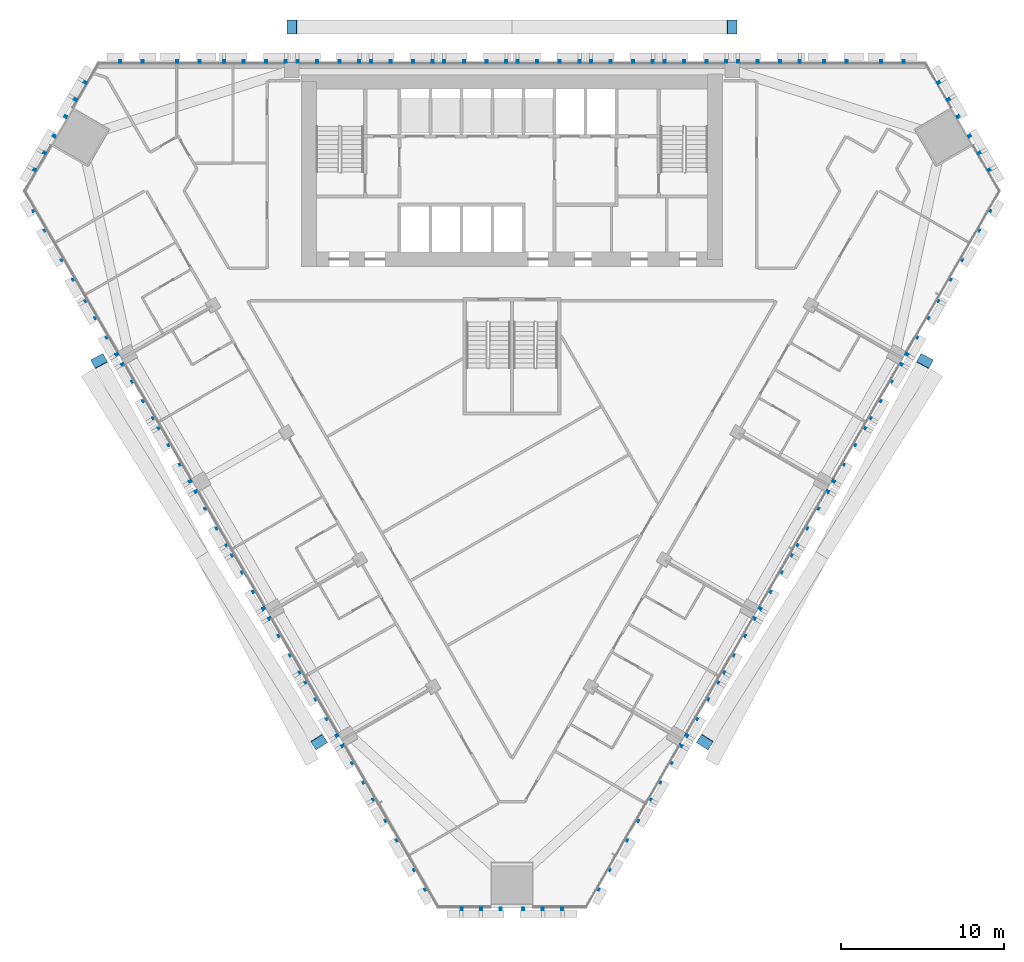
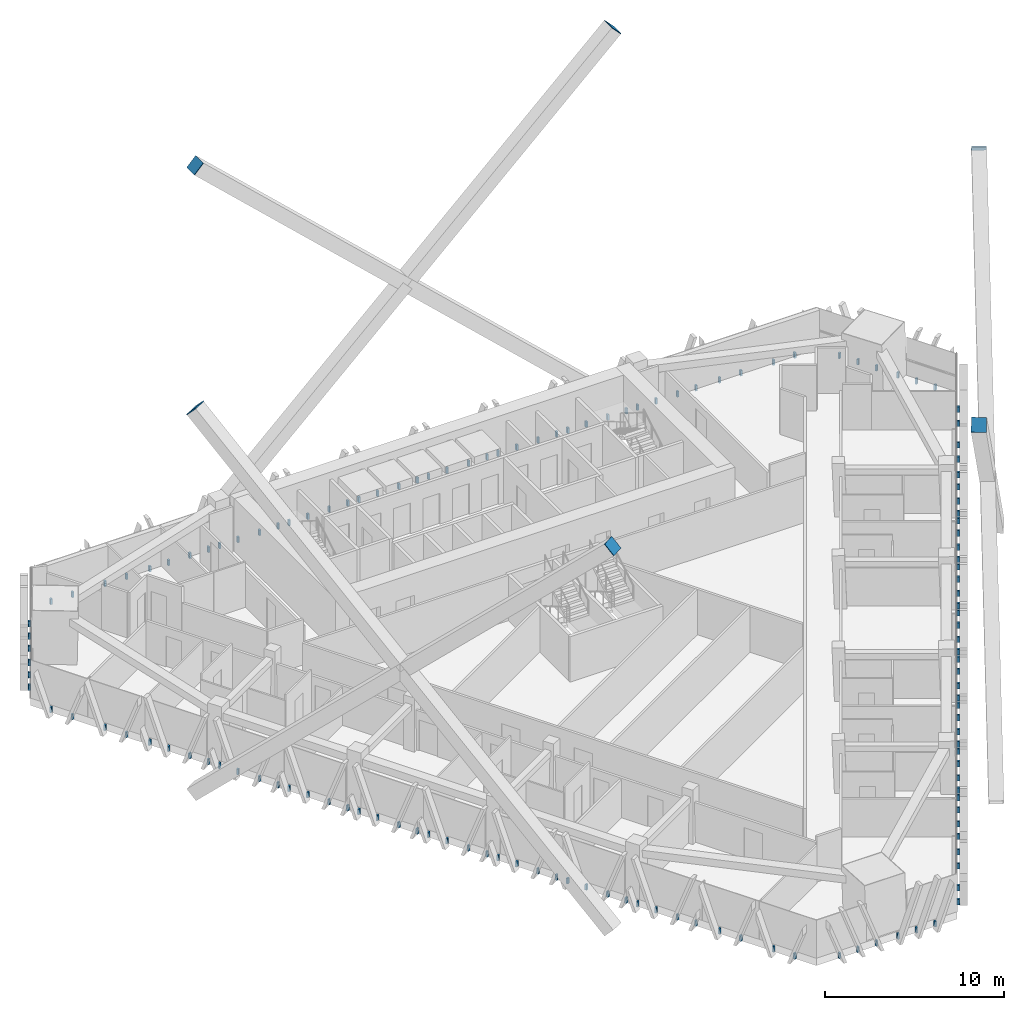
# One storey, part 16 of 19: 12 discrete accessories.
"""IFC4 building model written with IfcOpenShell, lengths in metres."""

from ifc_helpers import new_model, si_unit, direction, frame, origin, origin_2d, place, context, subcontext, project, spatial, polyline, rectangle, outline, extrude, source, transform, mapped, material, material_profile, profile_set, type_object, element, save


model = new_model("IFC4")

# Units and contexts
model_context = context("Model", 3, precision=1e-05, world=origin(), true_north=direction((0.0, 1.0)))
body_context = subcontext(model_context, "Body", "Model", "MODEL_VIEW")
ifc_project = project(units=[si_unit("LENGTHUNIT", "METRE"), si_unit("AREAUNIT", "SQUARE_METRE"), si_unit("VOLUMEUNIT", "CUBIC_METRE"), si_unit("PLANEANGLEUNIT", "RADIAN"), si_unit("MASSUNIT", "GRAM", prefix="KILO")], contexts=[model_context])

# Site, building, storey
site_placement = place(None, origin())
site = spatial("IfcSite", under=ifc_project, at=site_placement, CompositionType="ELEMENT")
building_placement = place(site_placement, origin())
building = spatial("IfcBuilding", under=site, at=building_placement, Name="Altiplano Prism Tower", CompositionType="ELEMENT")
storey_placement = place(building_placement, frame((0.0, 0.0, 70.199951171875)))
storey = spatial("IfcBuildingStorey", under=building, at=storey_placement, Name="L17", CompositionType="ELEMENT", Elevation=70.199951171875)

# Discrete accessories
ifc_material_1 = material(Name="Steel S355", Category="steel")
ifc_material_profile = material_profile(ifc_material_1, rectangle(XDim=0.85009765625, YDim=0.85009765625, at=origin_2d()), Name="Brace end plate 850x850x40")
ifc_profile_set = profile_set([ifc_material_profile], Name="Steel S355")
discrete_accessory_type_1 = type_object("IfcDiscreteAccessoryType", Name="Brace end plate 850x850x40", PredefinedType="ANCHORPLATE", material=ifc_profile_set)
for number, where, z_axis, x_axis, name in (
    (1, (71.5, 107.199951171875, 24.550048828125), (0.728199992693, 0.0, -0.685364699005), (0.0, 1.0, 0.0), "Brace end plate Mega brace 2.0.2 end 2"),
    (2, (98.5, 107.199951171875, 24.550048828125), (-0.728199992693, 0.0, -0.685364699005), (0.0, -1.0, 0.0), "Brace end plate Mega brace 2.0.4 end 2"),
):
    element("IfcDiscreteAccessory", number, at=place(storey_placement, frame(where, z_axis=z_axis, x_axis=x_axis)), inside=storey, type_object=discrete_accessory_type_1, Name=name, PredefinedType="ANCHORPLATE", context=body_context, shape_type="SweptSolid", body=[
        extrude(rectangle(XDim=0.85009765625, YDim=0.85009765625, at=origin_2d()), origin(), (0.0, 0.0, 1.0), 0.039794921875),
    ])
for number, where, z_axis, x_axis, name in (
    (3, (73.177978515625, 63.341064453125, 24.550048828125), (-0.385279667088, 0.611555027124, -0.69105718065), (-0.846091518039, -0.533037656365, 0.0), "Brace end plate Mega brace 2.1.2 end 2"),
    (4, (59.677978515625, 86.7236328125, 24.550048828125), (0.348143947259, -0.647425586131, -0.677964528873), (0.880737758339, 0.473604266277, 0.0), "Brace end plate Mega brace 2.1.4 end 2"),
    (5, (110.322021484375, 86.7236328125, 24.550048828125), (-0.348143947259, -0.647425586131, -0.677964528873), (0.880737758339, -0.473604266277, 0.0), "Brace end plate Mega brace 2.2.2 end 2"),
    (6, (96.822021484375, 63.341064453125, 24.550048828125), (0.385279667088, 0.611555027124, -0.69105718065), (-0.846091518039, 0.533037656365, 0.0), "Brace end plate Mega brace 2.2.4 end 2"),
):
    element("IfcDiscreteAccessory", number, at=place(storey_placement, frame(where, z_axis=z_axis, x_axis=x_axis)), inside=storey, type_object=discrete_accessory_type_1, Name=name, PredefinedType="ANCHORPLATE", context=body_context, shape_type="SweptSolid", body=[
        extrude(rectangle(XDim=0.85009765625, YDim=0.85009765625, at=origin_2d()), origin(), (0.0, 0.0, 1.0), 0.0400390625),
    ])
ifc_material_2 = material(Name="Stainless steel", Category="steel")
discrete_accessory_type_2 = type_object("IfcDiscreteAccessoryType", Name="Stone fin fixing prongs", PredefinedType="USERDEFINED", material=ifc_material_2)
shared_shape_1 = source(origin(), body_context, "Body", "SweptSolid", [
    extrude(outline(polyline([(-0.7509765625, 0.06005859375), (-0.631103515625, 0.06005859375), (-0.631103515625, 0.43994140625), (-0.7509765625, 0.43994140625), (-0.7509765625, 0.06005859375)])), frame((0.0, 0.0, 0.0), z_axis=(0.0, -1.0, 0.0), x_axis=(1.0, 0.0, 0.0)), (0.0, 0.0, 1.0), 0.14990234375),
    extrude(outline(polyline([(0.631103515625, 0.06005859375), (0.7509765625, 0.06005859375), (0.7509765625, 0.43994140625), (0.631103515625, 0.43994140625), (0.631103515625, 0.06005859375)])), frame((0.0, 0.0, 0.0), z_axis=(0.0, -1.0, 0.0), x_axis=(1.0, 0.0, 0.0)), (0.0, 0.0, 1.0), 0.14990234375),
])
shared_shape_2 = source(origin(), body_context, "Body", "SweptSolid", [
    extrude(outline(polyline([(-0.7509765625, 0.06005859375), (-0.631103515625, 0.06005859375), (-0.631103515625, 0.43994140625), (-0.7509765625, 0.43994140625), (-0.7509765625, 0.06005859375)])), frame((0.0, 0.0, 0.0), z_axis=(0.0, -1.0, 0.0), x_axis=(1.0, 0.0, 0.0)), (0.0, 0.0, 1.0), 0.14990234375),
    extrude(outline(polyline([(0.631103515625, 0.06005859375), (0.7509765625, 0.06005859375), (0.7509765625, 0.43994140625), (0.631103515625, 0.43994140625), (0.631103515625, 0.06005859375)])), frame((0.0, 0.0, 0.0), z_axis=(0.0, -1.0, 0.0), x_axis=(1.0, 0.0, 0.0)), (0.0, 0.0, 1.0), 0.14990234375),
])
shared_shape_3 = source(origin(), body_context, "Body", "SweptSolid", [
    extrude(outline(polyline([(-1.950927734375, 0.06005859375), (-1.8310546875, 0.06005859375), (-1.8310546875, 0.43994140625), (-1.950927734375, 0.43994140625), (-1.950927734375, 0.06005859375)])), frame((0.0, 0.0, 0.0), z_axis=(0.0, -1.0, 0.0), x_axis=(1.0, 0.0, 0.0)), (0.0, 0.0, 1.0), 0.14990234375),
    extrude(outline(polyline([(-0.7509765625, 0.06005859375), (-0.631103515625, 0.06005859375), (-0.631103515625, 0.43994140625), (-0.7509765625, 0.43994140625), (-0.7509765625, 0.06005859375)])), frame((0.0, 0.0, 0.0), z_axis=(0.0, -1.0, 0.0), x_axis=(1.0, 0.0, 0.0)), (0.0, 0.0, 1.0), 0.14990234375),
    extrude(outline(polyline([(0.631103515625, 0.06005859375), (0.7509765625, 0.06005859375), (0.7509765625, 0.43994140625), (0.631103515625, 0.43994140625), (0.631103515625, 0.06005859375)])), frame((0.0, 0.0, 0.0), z_axis=(0.0, -1.0, 0.0), x_axis=(1.0, 0.0, 0.0)), (0.0, 0.0, 1.0), 0.14990234375),
    extrude(outline(polyline([(1.8310546875, 0.06005859375), (1.950927734375, 0.06005859375), (1.950927734375, 0.43994140625), (1.8310546875, 0.43994140625), (1.8310546875, 0.06005859375)])), frame((0.0, 0.0, 0.0), z_axis=(0.0, -1.0, 0.0), x_axis=(1.0, 0.0, 0.0)), (0.0, 0.0, 1.0), 0.14990234375),
])
discrete_accessory_1_placement = place(storey_placement, origin())
element("IfcDiscreteAccessory", 7, at=discrete_accessory_1_placement, inside=storey, type_object=discrete_accessory_type_2, Name="Fin fixings L17 north face", ObjectType="BRACKET", PredefinedType="USERDEFINED", context=body_context, shape_type="MappedRepresentation", body=[
    mapped(shared_shape_1, transform((108.332763671875, 105.0, -0.5), x_axis=(-1.0, 0.0, 0.0), y_axis=(0.0, -1.0, 0.0), z_axis=(0.0, 0.0, 1.0))),
    mapped(shared_shape_2, transform((104.84423828125, 105.0, -0.5), x_axis=(-1.0, 0.0, 0.0), y_axis=(0.0, -1.0, 0.0), z_axis=(0.0, 0.0, 1.0))),
    mapped(shared_shape_3, transform((100.75, 105.0, -0.5), x_axis=(-1.0, 0.0, 0.0), y_axis=(0.0, -1.0, 0.0), z_axis=(0.0, 0.0, 1.0))),
    mapped(shared_shape_3, transform((96.25, 105.0, -0.5), x_axis=(-1.0, 0.0, 0.0), y_axis=(0.0, -1.0, 0.0), z_axis=(0.0, 0.0, 1.0))),
    mapped(shared_shape_3, transform((91.75, 105.0, -0.5), x_axis=(-1.0, 0.0, 0.0), y_axis=(0.0, -1.0, 0.0), z_axis=(0.0, 0.0, 1.0))),
    mapped(shared_shape_3, transform((87.25, 105.0, -0.5), x_axis=(-1.0, 0.0, 0.0), y_axis=(0.0, -1.0, 0.0), z_axis=(0.0, 0.0, 1.0))),
    mapped(shared_shape_3, transform((82.75, 105.0, -0.5), x_axis=(-1.0, 0.0, 0.0), y_axis=(0.0, -1.0, 0.0), z_axis=(0.0, 0.0, 1.0))),
    mapped(shared_shape_3, transform((78.25, 105.0, -0.5), x_axis=(-1.0, 0.0, 0.0), y_axis=(0.0, -1.0, 0.0), z_axis=(0.0, 0.0, 1.0))),
    mapped(shared_shape_3, transform((73.75, 105.0, -0.5), x_axis=(-1.0, 0.0, 0.0), y_axis=(0.0, -1.0, 0.0), z_axis=(0.0, 0.0, 1.0))),
    mapped(shared_shape_3, transform((69.25, 105.0, -0.5), x_axis=(-1.0, 0.0, 0.0), y_axis=(0.0, -1.0, 0.0), z_axis=(0.0, 0.0, 1.0))),
    mapped(shared_shape_2, transform((65.15576171875, 105.0, -0.5), x_axis=(-1.0, 0.0, 0.0), y_axis=(0.0, -1.0, 0.0), z_axis=(0.0, 0.0, 1.0))),
    mapped(shared_shape_1, transform((61.667236328125, 105.0, -0.5), x_axis=(-1.0, 0.0, 0.0), y_axis=(0.0, -1.0, 0.0), z_axis=(0.0, 0.0, 1.0))),
])
discrete_accessory_2_placement = place(storey_placement, origin())
element("IfcDiscreteAccessory", 8, at=discrete_accessory_2_placement, inside=storey, type_object=discrete_accessory_type_2, Name="Fin fixings L17 south-west face", ObjectType="BRACKET", PredefinedType="USERDEFINED", context=body_context, shape_type="MappedRepresentation", body=[
    mapped(shared_shape_1, transform((56.10693359375, 95.369384765625, -0.5), x_axis=(0.50000000109, -0.866025403155, 0.0), y_axis=(0.866025403155, 0.50000000109, 0.0), z_axis=(0.0, 0.0, 1.0))),
    mapped(shared_shape_2, transform((57.851318359375, 92.34814453125, -0.5), x_axis=(0.50000000109, -0.866025403155, 0.0), y_axis=(0.866025403155, 0.50000000109, 0.0), z_axis=(0.0, 0.0, 1.0))),
    mapped(shared_shape_3, transform((59.8984375, 88.802490234375, -0.5), x_axis=(0.50000000109, -0.866025403155, 0.0), y_axis=(0.866025403155, 0.50000000109, 0.0), z_axis=(0.0, 0.0, 1.0))),
    mapped(shared_shape_3, transform((62.1484375, 84.9052734375, -0.5), x_axis=(0.50000000109, -0.866025403155, 0.0), y_axis=(0.866025403155, 0.50000000109, 0.0), z_axis=(0.0, 0.0, 1.0))),
    mapped(shared_shape_3, transform((64.3984375, 81.00830078125, -0.5), x_axis=(0.50000000109, -0.866025403155, 0.0), y_axis=(0.866025403155, 0.50000000109, 0.0), z_axis=(0.0, 0.0, 1.0))),
    mapped(shared_shape_3, transform((66.6484375, 77.111083984375, -0.5), x_axis=(0.50000000109, -0.866025403155, 0.0), y_axis=(0.866025403155, 0.50000000109, 0.0), z_axis=(0.0, 0.0, 1.0))),
    mapped(shared_shape_3, transform((68.8984375, 73.214111328125, -0.5), x_axis=(0.50000000109, -0.866025403155, 0.0), y_axis=(0.866025403155, 0.50000000109, 0.0), z_axis=(0.0, 0.0, 1.0))),
    mapped(shared_shape_3, transform((71.1484375, 69.31689453125, -0.5), x_axis=(0.50000000109, -0.866025403155, 0.0), y_axis=(0.866025403155, 0.50000000109, 0.0), z_axis=(0.0, 0.0, 1.0))),
    mapped(shared_shape_3, transform((73.3984375, 65.419677734375, -0.5), x_axis=(0.50000000109, -0.866025403155, 0.0), y_axis=(0.866025403155, 0.50000000109, 0.0), z_axis=(0.0, 0.0, 1.0))),
    mapped(shared_shape_3, transform((75.6484375, 61.522705078125, -0.5), x_axis=(0.50000000109, -0.866025403155, 0.0), y_axis=(0.866025403155, 0.50000000109, 0.0), z_axis=(0.0, 0.0, 1.0))),
    mapped(shared_shape_2, transform((77.695556640625, 57.97705078125, -0.5), x_axis=(0.50000000109, -0.866025403155, 0.0), y_axis=(0.866025403155, 0.50000000109, 0.0), z_axis=(0.0, 0.0, 1.0))),
    mapped(shared_shape_1, transform((79.439697265625, 54.955810546875, -0.5), x_axis=(0.50000000109, -0.866025403155, 0.0), y_axis=(0.866025403155, 0.50000000109, 0.0), z_axis=(0.0, 0.0, 1.0))),
])
discrete_accessory_3_placement = place(storey_placement, origin())
element("IfcDiscreteAccessory", 9, at=discrete_accessory_3_placement, inside=storey, type_object=discrete_accessory_type_2, Name="Fin fixings L17 south-east face", ObjectType="BRACKET", PredefinedType="USERDEFINED", context=body_context, shape_type="MappedRepresentation", body=[
    mapped(shared_shape_1, transform((90.560302734375, 54.955810546875, -0.5), x_axis=(0.50000000109, 0.866025403155, 0.0), y_axis=(-0.866025403155, 0.50000000109, 0.0), z_axis=(0.0, 0.0, 1.0))),
    mapped(shared_shape_2, transform((92.304443359375, 57.97705078125, -0.5), x_axis=(0.50000000109, 0.866025403155, 0.0), y_axis=(-0.866025403155, 0.50000000109, 0.0), z_axis=(0.0, 0.0, 1.0))),
    mapped(shared_shape_3, transform((94.3515625, 61.522705078125, -0.5), x_axis=(0.50000000109, 0.866025403155, 0.0), y_axis=(-0.866025403155, 0.50000000109, 0.0), z_axis=(0.0, 0.0, 1.0))),
    mapped(shared_shape_3, transform((96.6015625, 65.419677734375, -0.5), x_axis=(0.50000000109, 0.866025403155, 0.0), y_axis=(-0.866025403155, 0.50000000109, 0.0), z_axis=(0.0, 0.0, 1.0))),
    mapped(shared_shape_3, transform((98.8515625, 69.31689453125, -0.5), x_axis=(0.50000000109, 0.866025403155, 0.0), y_axis=(-0.866025403155, 0.50000000109, 0.0), z_axis=(0.0, 0.0, 1.0))),
    mapped(shared_shape_3, transform((101.1015625, 73.214111328125, -0.5), x_axis=(0.50000000109, 0.866025403155, 0.0), y_axis=(-0.866025403155, 0.50000000109, 0.0), z_axis=(0.0, 0.0, 1.0))),
    mapped(shared_shape_3, transform((103.3515625, 77.111083984375, -0.5), x_axis=(0.50000000109, 0.866025403155, 0.0), y_axis=(-0.866025403155, 0.50000000109, 0.0), z_axis=(0.0, 0.0, 1.0))),
    mapped(shared_shape_3, transform((105.6015625, 81.00830078125, -0.5), x_axis=(0.50000000109, 0.866025403155, 0.0), y_axis=(-0.866025403155, 0.50000000109, 0.0), z_axis=(0.0, 0.0, 1.0))),
    mapped(shared_shape_3, transform((107.8515625, 84.9052734375, -0.5), x_axis=(0.50000000109, 0.866025403155, 0.0), y_axis=(-0.866025403155, 0.50000000109, 0.0), z_axis=(0.0, 0.0, 1.0))),
    mapped(shared_shape_3, transform((110.1015625, 88.802490234375, -0.5), x_axis=(0.50000000109, 0.866025403155, 0.0), y_axis=(-0.866025403155, 0.50000000109, 0.0), z_axis=(0.0, 0.0, 1.0))),
    mapped(shared_shape_2, transform((112.148681640625, 92.34814453125, -0.5), x_axis=(0.50000000109, 0.866025403155, 0.0), y_axis=(-0.866025403155, 0.50000000109, 0.0), z_axis=(0.0, 0.0, 1.0))),
    mapped(shared_shape_1, transform((113.89306640625, 95.369384765625, -0.5), x_axis=(0.50000000109, 0.866025403155, 0.0), y_axis=(-0.866025403155, 0.50000000109, 0.0), z_axis=(0.0, 0.0, 1.0))),
])
shared_shape_4 = source(origin(), body_context, "Body", "SweptSolid", [
    extrude(outline(polyline([(-3.15087890625, 0.06005859375), (-3.031005859375, 0.06005859375), (-3.031005859375, 0.43994140625), (-3.15087890625, 0.43994140625), (-3.15087890625, 0.06005859375)])), frame((0.0, 0.0, 0.0), z_axis=(0.0, -1.0, 0.0), x_axis=(1.0, 0.0, 0.0)), (0.0, 0.0, 1.0), 0.14990234375),
    extrude(outline(polyline([(-1.950927734375, 0.06005859375), (-1.8310546875, 0.06005859375), (-1.8310546875, 0.43994140625), (-1.950927734375, 0.43994140625), (-1.950927734375, 0.06005859375)])), frame((0.0, 0.0, 0.0), z_axis=(0.0, -1.0, 0.0), x_axis=(1.0, 0.0, 0.0)), (0.0, 0.0, 1.0), 0.14990234375),
    extrude(outline(polyline([(-0.7509765625, 0.06005859375), (-0.631103515625, 0.06005859375), (-0.631103515625, 0.43994140625), (-0.7509765625, 0.43994140625), (-0.7509765625, 0.06005859375)])), frame((0.0, 0.0, 0.0), z_axis=(0.0, -1.0, 0.0), x_axis=(1.0, 0.0, 0.0)), (0.0, 0.0, 1.0), 0.14990234375),
    extrude(outline(polyline([(0.631103515625, 0.06005859375), (0.7509765625, 0.06005859375), (0.7509765625, 0.43994140625), (0.631103515625, 0.43994140625), (0.631103515625, 0.06005859375)])), frame((0.0, 0.0, 0.0), z_axis=(0.0, -1.0, 0.0), x_axis=(1.0, 0.0, 0.0)), (0.0, 0.0, 1.0), 0.14990234375),
    extrude(outline(polyline([(1.8310546875, 0.06005859375), (1.950927734375, 0.06005859375), (1.950927734375, 0.43994140625), (1.8310546875, 0.43994140625), (1.8310546875, 0.06005859375)])), frame((0.0, 0.0, 0.0), z_axis=(0.0, -1.0, 0.0), x_axis=(1.0, 0.0, 0.0)), (0.0, 0.0, 1.0), 0.14990234375),
    extrude(outline(polyline([(3.031005859375, 0.06005859375), (3.15087890625, 0.06005859375), (3.15087890625, 0.43994140625), (3.031005859375, 0.43994140625), (3.031005859375, 0.06005859375)])), frame((0.0, 0.0, 0.0), z_axis=(0.0, -1.0, 0.0), x_axis=(1.0, 0.0, 0.0)), (0.0, 0.0, 1.0), 0.14990234375),
])
discrete_accessory_4_placement = place(storey_placement, origin())
element("IfcDiscreteAccessory", 10, at=discrete_accessory_4_placement, inside=storey, type_object=discrete_accessory_type_2, Name="Fin fixings L17 north-west chamfer", ObjectType="BRACKET", PredefinedType="USERDEFINED", context=body_context, shape_type="MappedRepresentation", body=[
    mapped(shared_shape_4, transform((57.35400390625, 101.06982421875, -0.5), x_axis=(-0.500000015804, -0.86602539466, 0.0), y_axis=(0.86602539466, -0.500000015804, 0.0), z_axis=(0.0, 0.0, 1.0))),
])
discrete_accessory_5_placement = place(storey_placement, origin())
element("IfcDiscreteAccessory", 11, at=discrete_accessory_5_placement, inside=storey, type_object=discrete_accessory_type_2, Name="Fin fixings L17 south chamfer", ObjectType="BRACKET", PredefinedType="USERDEFINED", context=body_context, shape_type="MappedRepresentation", body=[
    mapped(shared_shape_4, transform((85.0, 53.185546875, -0.5), x_axis=(1.0, 0.0, 0.0), y_axis=(0.0, 1.0, 0.0), z_axis=(0.0, 0.0, 1.0))),
])
discrete_accessory_6_placement = place(storey_placement, origin())
element("IfcDiscreteAccessory", 12, at=discrete_accessory_6_placement, inside=storey, type_object=discrete_accessory_type_2, Name="Fin fixings L17 north-east chamfer", ObjectType="BRACKET", PredefinedType="USERDEFINED", context=body_context, shape_type="MappedRepresentation", body=[
    mapped(shared_shape_4, transform((112.64599609375, 101.06982421875, -0.5), x_axis=(-0.500000015804, 0.86602539466, 0.0), y_axis=(-0.86602539466, -0.500000015804, 0.0), z_axis=(0.0, 0.0, 1.0))),
])

save(model, "model.ifc")
